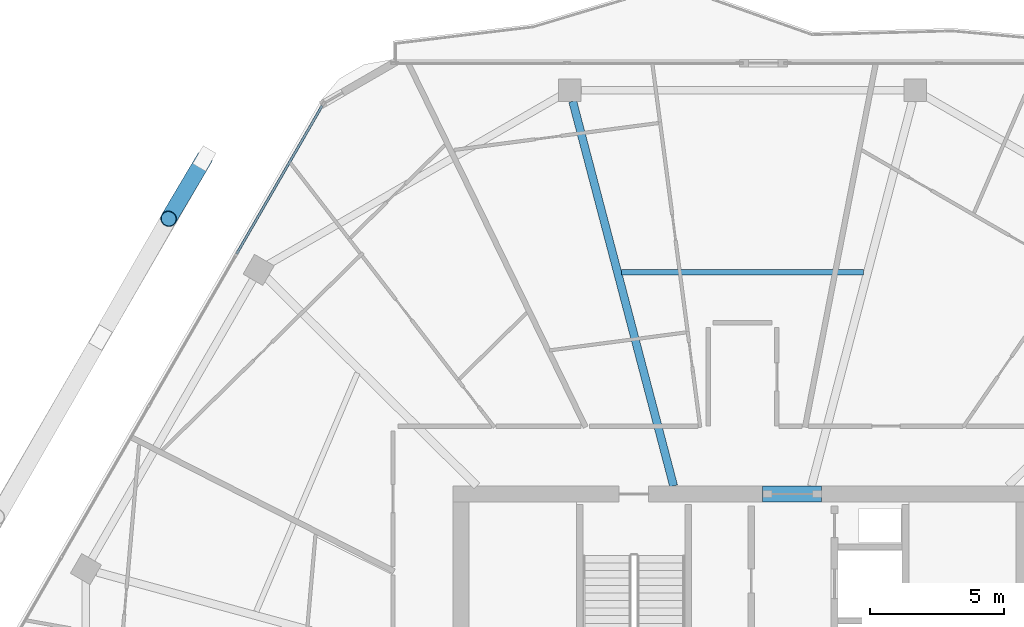
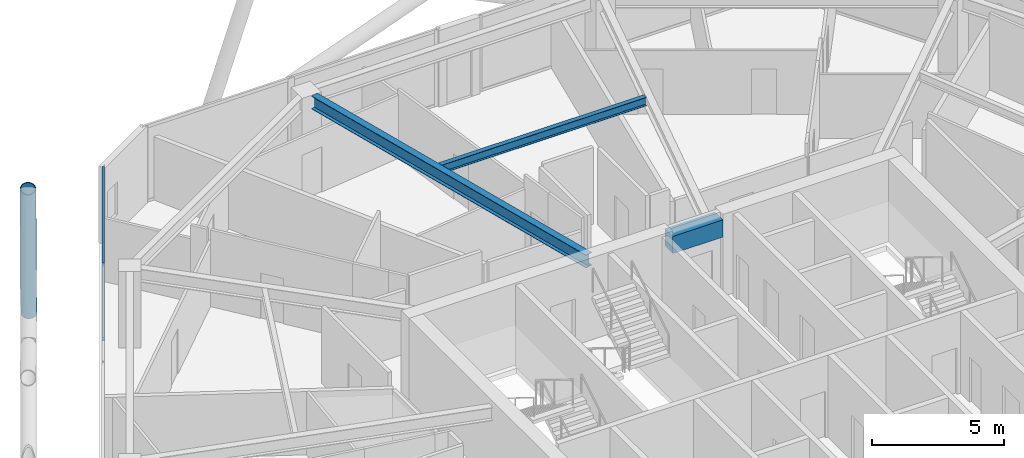
# One storey, part 14 of 27: 3 beams, 3 members, 1 element without a shape of its own.
"""IFC4 building model written with IfcOpenShell, lengths in metres."""

from ifc_helpers import new_model, si_unit, direction, frame, origin, origin_2d, place, context, subcontext, project, spatial, rectangle, hollow_rectangle, hollow_circle, i_section, extrude, material, material_profile, profile_set, type_object, element, aggregate, save


model = new_model("IFC4")

# Units and contexts
model_context = context("Model", 3, precision=1e-05, world=origin(), true_north=direction((0.0, 1.0)))
body_context = subcontext(model_context, "Body", "Model", "MODEL_VIEW")
ifc_project = project(units=[si_unit("LENGTHUNIT", "METRE"), si_unit("AREAUNIT", "SQUARE_METRE"), si_unit("VOLUMEUNIT", "CUBIC_METRE"), si_unit("PLANEANGLEUNIT", "RADIAN"), si_unit("MASSUNIT", "GRAM", prefix="KILO")], contexts=[model_context])

# Site, building, storey
site_placement = place(None, origin())
site = spatial("IfcSite", under=ifc_project, at=site_placement, CompositionType="ELEMENT")
building_placement = place(site_placement, origin())
building = spatial("IfcBuilding", under=site, at=building_placement, Name="Zuhravey Tower", CompositionType="ELEMENT")
storey_placement = place(building_placement, frame((0.0, 0.0, 276.800048828125)))
storey = spatial("IfcBuildingStorey", under=building, at=storey_placement, Name="L70", CompositionType="ELEMENT", Elevation=276.800048828125)

# Beam
ifc_material_1 = material(Name="Concrete C50/60", Category="concrete")
ifc_material_profile_1 = material_profile(ifc_material_1, rectangle(XDim=0.60009765625, YDim=0.800048828125, at=origin_2d()), Name="RC-600x800")
ifc_profile_set_1 = profile_set([ifc_material_profile_1], Name="Concrete C50/60")
beam_type_1 = type_object("IfcBeamType", Name="Core Coupling Beam RC600x800", PredefinedType="LINTEL", material=ifc_profile_set_1)
beam_1_placement = place(storey_placement, frame((36.751953125, 41.5, 3.14990234375), z_axis=(1.0, 0.0, 0.0), x_axis=(0.0, 1.0, 0.0)))
element("IfcBeam", 1, at=beam_1_placement, inside=storey, type_object=beam_type_1, Name="L70 CB2 BM-L70-CB-N", PredefinedType="LINTEL", context=body_context, shape_type="SweptSolid", body=[
    extrude(rectangle(XDim=0.60009765625, YDim=0.800048828125, at=origin_2d()), origin(), (0.0, 0.0, 1.0), 2.196044921875),
])

# Curtain wall, members
ifc_material_2 = material(Name="Thermally broken anodised aluminium", Category="aluminium")
curtain_wall_type = type_object("IfcCurtainWallType", Name="Zone 3-4 High-Rise Curtain Wall CW4", PredefinedType="NOTDEFINED", material=ifc_material_2)
curtain_wall_placement = place(storey_placement, origin())
curtain_wall = element("IfcCurtainWall", 2, at=curtain_wall_placement, inside=storey, type_object=curtain_wall_type, Name="L70 CW4 CW-L70-F3-1", PredefinedType="NOTDEFINED")
ifc_material_3 = material(Name="Anodised aluminium", Category="aluminium")
ifc_material_profile_2 = material_profile(ifc_material_3, hollow_rectangle(XDim=0.090087890625, YDim=0.14990234375, WallThickness=0.0048828125, at=origin_2d()), Name="ALU-RHS-90x150x5")
ifc_profile_set_2 = profile_set([ifc_material_profile_2], Name="Anodised aluminium")
member_type_1 = type_object("IfcMemberType", Name="Curtain-Wall Transom 90x150", PredefinedType="USERDEFINED", material=ifc_profile_set_2)
member_1_placement = place(storey_placement, frame((17.136962890625, 50.455322265625, 0.044921875), z_axis=(0.499980071345, 0.866036909293, 0.0), x_axis=(-0.866036909293, 0.499980071345, 0.0)))
member_1 = element("IfcMember", 3, at=member_1_placement, type_object=member_type_1, Name="CW4 transom 4.1", ObjectType="TRANSOM", PredefinedType="USERDEFINED", context=body_context, shape_type="SweptSolid", body=[
    extrude(hollow_rectangle(XDim=0.090087890625, YDim=0.14990234375, WallThickness=0.0048828125, at=origin_2d()), origin(), (0.0, 0.0, 1.0), 6.371337890625),
])
member_2_placement = place(storey_placement, frame((17.136962890625, 50.455322265625, 3.5048828125), z_axis=(0.499980071345, 0.866036909293, 0.0), x_axis=(-0.866036909293, 0.499980071345, 0.0)))
member_2 = element("IfcMember", 4, at=member_2_placement, type_object=member_type_1, Name="CW4 transom 4.2", ObjectType="TRANSOM", PredefinedType="USERDEFINED", context=body_context, shape_type="SweptSolid", body=[
    extrude(hollow_rectangle(XDim=0.090087890625, YDim=0.14990234375, WallThickness=0.0048828125, at=origin_2d()), origin(), (0.0, 0.0, 1.0), 6.371337890625),
])
aggregate(curtain_wall, [member_1, member_2])

# Member
ifc_material_4 = material(Name="Steel SM355", Category="steel")
ifc_material_profile_3 = material_profile(ifc_material_4, hollow_circle(Radius=0.3046875, WallThickness=0.028076171875, at=origin_2d()), Name="CHS-609.6x28")
ifc_profile_set_3 = profile_set([ifc_material_profile_3], Name="Steel SM355")
member_type_2 = type_object("IfcMemberType", Name="Exoskeleton Zone 3 Diagrid CHS610x28", PredefinedType="BRACE", material=ifc_profile_set_3)
member_3_placement = place(storey_placement, frame((15.930419921875, 54.005859375, -0.446044921875), z_axis=(-0.166262124402, -0.280531101441, 0.945335499764), x_axis=(0.860262654466, -0.509851120751, 0.0)))
element("IfcMember", 5, at=member_3_placement, inside=storey, type_object=member_type_2, Name="L70 Face 3 Diagrid Brace 1", PredefinedType="BRACE", context=body_context, shape_type="SweptSolid", body=[
    extrude(hollow_circle(Radius=0.3046875, WallThickness=0.028076171875, at=origin_2d()), origin(), (0.0, 0.0, 1.0), 8.00146484375),
])

# Beams
ifc_material_profile_4 = material_profile(ifc_material_4, i_section(OverallWidth=0.300048828125, OverallDepth=0.60009765625, WebThickness=0.011962890625, FlangeThickness=0.02001953125, at=origin_2d()), Name="H-600x300x12x20")
ifc_profile_set_4 = profile_set([ifc_material_profile_4], Name="Steel SM355")
beam_type_2 = type_object("IfcBeamType", Name="Radial Primary Girder H600x300", PredefinedType="BEAM", material=ifc_profile_set_4)
beam_2_placement = place(storey_placement, frame((33.428466796875, 41.802978515625, 3.25), z_axis=(-0.25373188956, 0.967274587809, 0.0), x_axis=(-0.967274587809, -0.25373188956, 0.0)))
element("IfcBeam", 6, at=beam_2_placement, inside=storey, type_object=beam_type_2, Name="L70 RG3 BM-L70-RAD-04", PredefinedType="BEAM", context=body_context, shape_type="SweptSolid", body=[
    extrude(i_section(OverallWidth=0.300048828125, OverallDepth=0.60009765625, WebThickness=0.011962890625, FlangeThickness=0.02001953125, at=origin_2d()), origin(), (0.0, 0.0, 1.0), 14.82177734375),
])
ifc_material_profile_5 = material_profile(ifc_material_4, i_section(OverallWidth=0.199951171875, OverallDepth=0.39990234375, WebThickness=0.008056640625, FlangeThickness=0.012939453125, at=origin_2d()), Name="H-400x200x8x13")
ifc_profile_set_5 = profile_set([ifc_material_profile_5], Name="Steel SM355")
beam_type_3 = type_object("IfcBeamType", Name="Secondary Floor Joist H400x200", PredefinedType="JOIST", material=ifc_profile_set_5)
beam_3_placement = place(storey_placement, frame((40.507080078125, 49.768310546875, 3.349853515625), z_axis=(-1.0, 0.0, 0.0), x_axis=(0.0, -1.0, 0.0)))
element("IfcBeam", 7, at=beam_3_placement, inside=storey, type_object=beam_type_3, Name="L70 SJ2 BM-L70-SJ-03-1", PredefinedType="JOIST", context=body_context, shape_type="SweptSolid", body=[
    extrude(i_section(OverallWidth=0.199951171875, OverallDepth=0.39990234375, WebThickness=0.008056640625, FlangeThickness=0.012939453125, at=origin_2d()), origin(), (0.0, 0.0, 1.0), 9.01416015625),
])

save(model, "model.ifc")
